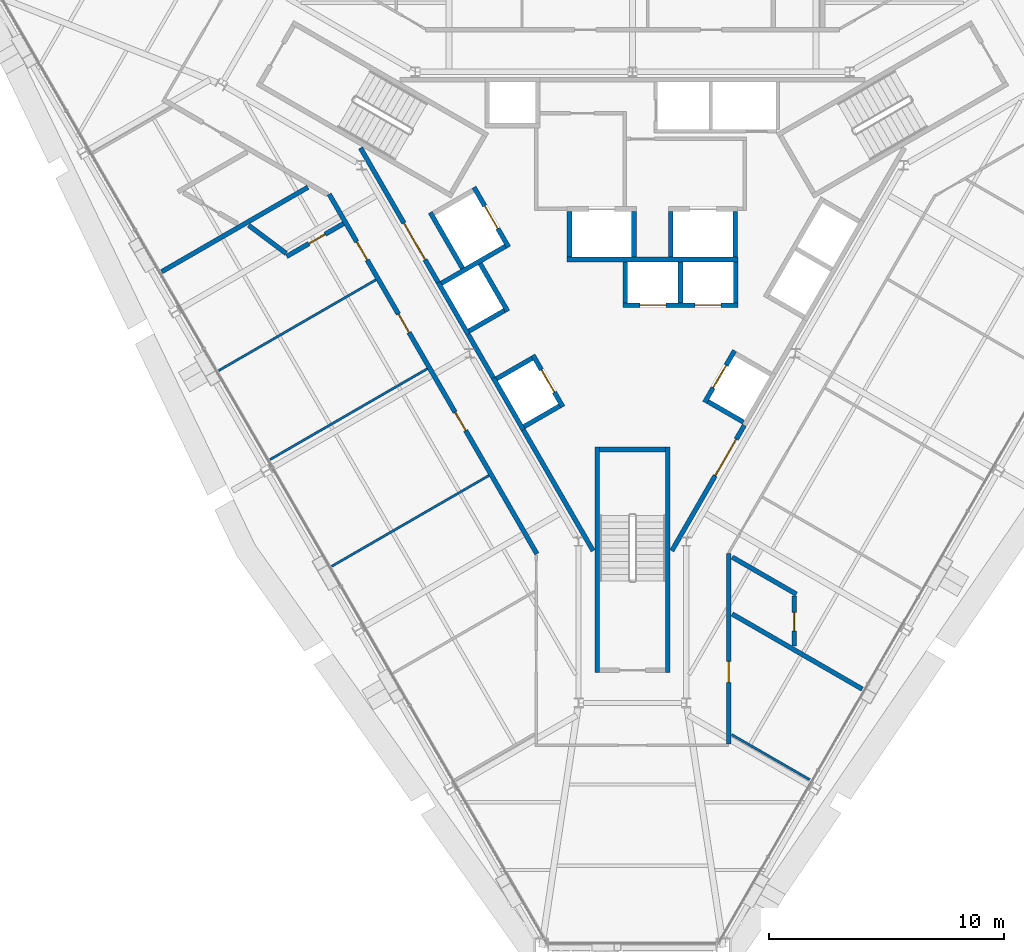
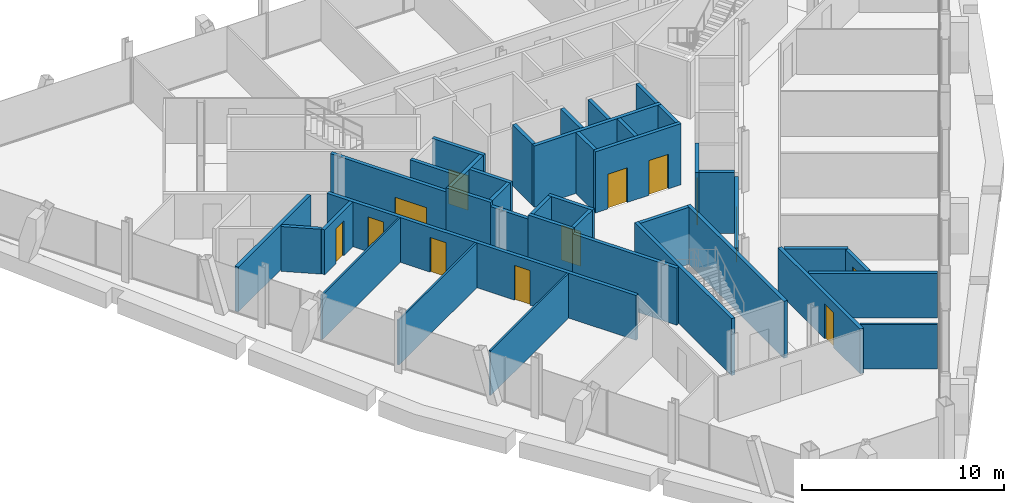
# One storey, part 12 of 17: 40 walls, 13 doors, 13 openings.
"""IFC4 building model written with IfcOpenShell, lengths in metres."""

from ifc_helpers import new_model, si_unit, direction, frame, frame_2d, origin, place, context, subcontext, project, spatial, rectangle, extrude, material, layer, layer_set, type_object, element, fill, save


model = new_model("IFC4")

# Units and contexts
model_context = context("Model", 3, precision=1e-05, world=origin(), true_north=direction((0.0, 1.0)))
body_context = subcontext(model_context, "Body", "Model", "MODEL_VIEW")
ifc_project = project(units=[si_unit("LENGTHUNIT", "METRE"), si_unit("AREAUNIT", "SQUARE_METRE"), si_unit("VOLUMEUNIT", "CUBIC_METRE"), si_unit("PLANEANGLEUNIT", "RADIAN"), si_unit("MASSUNIT", "GRAM", prefix="KILO")], contexts=[model_context])

# Site, building, storey
site_placement = place(None, origin())
site = spatial("IfcSite", under=ifc_project, at=site_placement, CompositionType="ELEMENT")
building_placement = place(site_placement, origin())
building = spatial("IfcBuilding", under=site, at=building_placement, Name="Verrane Prism Tower", CompositionType="ELEMENT")
storey_placement = place(building_placement, frame((0.0, 0.0, 182.10009765625)))
storey = spatial("IfcBuildingStorey", under=building, at=storey_placement, Name="L45", CompositionType="ELEMENT", Elevation=182.10009765625)

# Wall, opening, door
ifc_material_1 = material(Name="Gypsum board partition", Category="other")
ifc_layer_1 = layer(ifc_material_1, 0.199951171875)
ifc_layer_set_1 = layer_set([ifc_layer_1], Name="CW-200 core boundary wall 2 h")
wall_type_1 = type_object("IfcWallType", Name="CW-200 core boundary wall 2 h", PredefinedType="PARTITIONING", material=ifc_layer_set_1)
wall_1_placement = place(storey_placement, frame((-11.590576171875, 4.7548828125, 0.0), z_axis=(0.0, 0.0, 1.0), x_axis=(0.500043977787, -0.866000011708, 0.0)))
wall_1 = element("IfcWall", 1, at=wall_1_placement, inside=storey, type_object=wall_type_1, Name="Core boundary wall CW3-001", PredefinedType="PARTITIONING", context=body_context, shape_type="SweptSolid", body=[
    extrude(rectangle(XDim=6.61669921875, YDim=0.199951171875, at=frame_2d((3.308349609375, 0.0))), origin(), (0.0, 0.0, 1.0), 3.449951171875),
])
opening_1_placement = place(wall_1_placement, frame((3.695068359375, 0.0, 0.0)))
opening_1 = element("IfcOpeningElement", 2, at=opening_1_placement, cuts=wall_1, Name="Opening D44510", PredefinedType="OPENING", context=body_context, shape_type="SweptSolid", body=[
    extrude(rectangle(XDim=1.800048828125, YDim=2.10009765625, at=frame_2d((0.89990234375, 1.050048828125))), frame((0.0, 0.10986328125, 0.0), z_axis=(0.0, -1.0, 0.0), x_axis=(1.0, 0.0, 0.0)), (0.0, 0.0, 1.0), 0.219970703125),
])
ifc_material_2 = material(Name="Timber veneered door leaf", Category="wood")
door_type_1 = type_object("IfcDoorType", Name="DR-1800x2100 FD60 double leaf lift lobby", OperationType="NOTDEFINED", PredefinedType="DOOR", material=ifc_material_2)
door_1_placement = place(opening_1_placement, origin())
door_1 = element("IfcDoor", 3, at=door_1_placement, inside=storey, type_object=door_type_1, Name="Lift lobby door D44510", OperationType="DOUBLE_DOOR_SINGLE_SWING", OverallHeight=2.10009765625, OverallWidth=1.800048828125, PredefinedType="DOOR", context=body_context, shape_type="SweptSolid", body=[
    extrude(rectangle(XDim=1.800048828125, YDim=2.10009765625, at=frame_2d((0.89990234375, 1.050048828125))), frame((0.0, 0.02490234375, 0.0), z_axis=(0.0, -1.0, 0.0), x_axis=(1.0, 0.0, 0.0)), (0.0, 0.0, 1.0), 0.050048828125),
])
fill(opening_1, door_1)

# Walls
wall_2_placement = place(storey_placement, frame((-7.0048828125, -3.18701171875, 0.0), z_axis=(0.0, 0.0, 1.0), x_axis=(0.499689606989, -0.866204535123, 0.0)))
element("IfcWall", 4, at=wall_2_placement, inside=storey, type_object=wall_type_1, Name="Core boundary wall CW3-003", PredefinedType="PARTITIONING", context=body_context, shape_type="SweptSolid", body=[
    extrude(rectangle(XDim=2.144775390625, YDim=0.199951171875, at=frame_2d((1.072265625, 0.0))), origin(), (0.0, 0.0, 1.0), 3.449951171875),
])
wall_3_placement = place(storey_placement, frame((-4.655029296875, -7.257080078125, 0.0), z_axis=(0.0, 0.0, 1.0), x_axis=(0.499966124405, -0.866044960985, 0.0)))
element("IfcWall", 5, at=wall_3_placement, inside=storey, type_object=wall_type_1, Name="Core boundary wall CW3-004", PredefinedType="PARTITIONING", context=body_context, shape_type="SweptSolid", body=[
    extrude(rectangle(XDim=5.95556640625, YDim=0.199951171875, at=frame_2d((2.977783203125, 0.0))), origin(), (0.0, 0.0, 1.0), 3.449951171875),
])

# Wall, opening, door
wall_4_placement = place(storey_placement, frame((1.677490234375, -12.414794921875, 0.0), z_axis=(0.0, 0.0, 1.0), x_axis=(0.500054337157, 0.865994029939, 0.0)))
wall_4 = element("IfcWall", 6, at=wall_4_placement, inside=storey, type_object=wall_type_1, Name="Core boundary wall CW3-006", PredefinedType="PARTITIONING", context=body_context, shape_type="SweptSolid", body=[
    extrude(rectangle(XDim=6.176513671875, YDim=0.199951171875, at=frame_2d((3.08837890625, 0.0))), origin(), (0.0, 0.0, 1.0), 3.449951171875),
])
opening_2_placement = place(wall_4_placement, frame((3.695068359375, 0.0, 0.0)))
opening_2 = element("IfcOpeningElement", 7, at=opening_2_placement, cuts=wall_4, Name="Opening D44515", PredefinedType="OPENING", context=body_context, shape_type="SweptSolid", body=[
    extrude(rectangle(XDim=1.800048828125, YDim=2.10009765625, at=frame_2d((0.89990234375, 1.050048828125))), frame((0.0, 0.10986328125, 0.0), z_axis=(0.0, -1.0, 0.0), x_axis=(1.0, 0.0, 0.0)), (0.0, 0.0, 1.0), 0.219970703125),
])
door_2_placement = place(opening_2_placement, origin())
door_2 = element("IfcDoor", 8, at=door_2_placement, inside=storey, type_object=door_type_1, Name="Lift lobby door D44515", OperationType="DOUBLE_DOOR_SINGLE_SWING", OverallHeight=2.10009765625, OverallWidth=1.800048828125, PredefinedType="DOOR", context=body_context, shape_type="SweptSolid", body=[
    extrude(rectangle(XDim=1.800048828125, YDim=2.10009765625, at=frame_2d((0.89990234375, 1.050048828125))), frame((0.0, 0.02490234375, 0.0), z_axis=(0.0, -1.0, 0.0), x_axis=(1.0, 0.0, 0.0)), (0.0, 0.0, 1.0), 0.050048828125),
])
fill(opening_2, door_2)

# Walls
ifc_material_3 = material(Name="Concrete C40/50", Category="concrete")
ifc_layer_2 = layer(ifc_material_3, 0.199951171875)
ifc_layer_set_2 = layer_set([ifc_layer_2], Name="CW-200 stair core wall concrete C40/50 3 h")
wall_type_2 = type_object("IfcWallType", Name="CW-200 stair core wall concrete C40/50 3 h", PredefinedType="PARTITIONING", material=ifc_layer_set_2)
for number, where, z_axis, x_axis, name in (
    (9, (1.5, -8.0, 0.0), (0.0, 0.0, 1.0), (0.0, -1.0, 0.0), "Stair 3 enclosure wall"),
    (10, (-1.5, -8.0, 0.0), (0.0, 0.0, 1.0), (0.0, -1.0, 0.0), "Stair 3 enclosure wall"),
):
    element("IfcWall", number, at=place(storey_placement, frame(where, z_axis=z_axis, x_axis=x_axis)), inside=storey, type_object=wall_type_2, Name=name, PredefinedType="PARTITIONING", context=body_context, shape_type="SweptSolid", body=[
        extrude(rectangle(XDim=9.60009765625, YDim=0.199951171875, at=frame_2d((4.800048828125, 0.0))), origin(), (0.0, 0.0, 1.0), 3.449951171875),
    ])
wall_5_placement = place(storey_placement, frame((-1.39990234375, -8.10009765625, 0.0), z_axis=(0.0, 0.0, 1.0), x_axis=(1.0, 0.0, 0.0)))
element("IfcWall", 11, at=wall_5_placement, inside=storey, type_object=wall_type_2, Name="Stair 3 enclosure wall", PredefinedType="PARTITIONING", context=body_context, shape_type="SweptSolid", body=[
    extrude(rectangle(XDim=2.7998046875, YDim=0.199951171875, at=frame_2d((1.39990234375, 0.0))), origin(), (0.0, 0.0, 1.0), 3.449951171875),
])

# Wall, openings, doors
ifc_material_4 = material(Name="Gypsum board shaft wall assembly", Category="other")
ifc_layer_3 = layer(ifc_material_4, 0.199951171875)
ifc_layer_set_3 = layer_set([ifc_layer_3], Name="HW-200 lift shaft wall 2 h")
wall_type_3 = type_object("IfcWallType", Name="HW-200 lift shaft wall 2 h", PredefinedType="PARTITIONING", material=ifc_layer_set_3)
wall_6_placement = place(storey_placement, frame((-0.405029296875, -1.949951171875, 0.0), z_axis=(0.0, 0.0, 1.0), x_axis=(1.0, 0.0, 0.0)))
wall_6 = element("IfcWall", 12, at=wall_6_placement, inside=storey, type_object=wall_type_3, Name="Lift shaft wall", PredefinedType="PARTITIONING", context=body_context, shape_type="SweptSolid", body=[
    extrude(rectangle(XDim=4.900146484375, YDim=0.199951171875, at=frame_2d((2.4501953125, 0.0))), origin(), (0.0, 0.0, 1.0), 3.699951171875),
])
opening_3_placement = place(wall_6_placement, frame((0.72509765625, 0.0, 0.0)))
opening_3 = element("IfcOpeningElement", 13, at=opening_3_placement, cuts=wall_6, Name="Opening D44503", PredefinedType="OPENING", context=body_context, shape_type="SweptSolid", body=[
    extrude(rectangle(XDim=1.10009765625, YDim=2.10009765625, at=frame_2d((0.550048828125, 1.050048828125))), frame((0.0, 0.10986328125, 0.0), z_axis=(0.0, -1.0, 0.0), x_axis=(1.0, 0.0, 0.0)), (0.0, 0.0, 1.0), 0.219970703125),
])
opening_4_placement = place(wall_6_placement, frame((3.074951171875, 0.0, 0.0)))
opening_4 = element("IfcOpeningElement", 14, at=opening_4_placement, cuts=wall_6, Name="Opening D44504", PredefinedType="OPENING", context=body_context, shape_type="SweptSolid", body=[
    extrude(rectangle(XDim=1.10009765625, YDim=2.10009765625, at=frame_2d((0.550048828125, 1.050048828125))), frame((0.0, 0.10986328125, 0.0), z_axis=(0.0, -1.0, 0.0), x_axis=(1.0, 0.0, 0.0)), (0.0, 0.0, 1.0), 0.219970703125),
])
ifc_material_5 = material(Name="Stainless steel sliding landing door", Category="steel")
door_type_2 = type_object("IfcDoorType", Name="LD-1100x2100 lift landing door FD90 sliding", OperationType="NOTDEFINED", PredefinedType="DOOR", material=ifc_material_5)
door_3_placement = place(opening_3_placement, origin())
door_3 = element("IfcDoor", 15, at=door_3_placement, inside=storey, type_object=door_type_2, Name="Bank B lift 1 landing door", OperationType="SLIDING_TO_LEFT", OverallHeight=2.10009765625, OverallWidth=1.10009765625, PredefinedType="DOOR", context=body_context, shape_type="SweptSolid", body=[
    extrude(rectangle(XDim=1.10009765625, YDim=2.10009765625, at=frame_2d((0.550048828125, 1.050048828125))), frame((0.0, 0.02490234375, 0.0), z_axis=(0.0, -1.0, 0.0), x_axis=(1.0, 0.0, 0.0)), (0.0, 0.0, 1.0), 0.050048828125),
])
fill(opening_3, door_3)
door_4_placement = place(opening_4_placement, origin())
door_4 = element("IfcDoor", 16, at=door_4_placement, inside=storey, type_object=door_type_2, Name="Bank B lift 2 landing door", OperationType="SLIDING_TO_RIGHT", OverallHeight=2.10009765625, OverallWidth=1.10009765625, PredefinedType="DOOR", context=body_context, shape_type="SweptSolid", body=[
    extrude(rectangle(XDim=1.10009765625, YDim=2.10009765625, at=frame_2d((0.550048828125, 1.050048828125))), frame((0.0, 0.02490234375, 0.0), z_axis=(0.0, -1.0, 0.0), x_axis=(1.0, 0.0, 0.0)), (0.0, 0.0, 1.0), 0.050048828125),
])
fill(opening_4, door_4)

# Walls
wall_7_placement = place(storey_placement, frame((-2.784912109375, 0.0, 0.0), z_axis=(0.0, 0.0, 1.0), x_axis=(1.0, 0.0, 0.0)))
element("IfcWall", 17, at=wall_7_placement, inside=storey, type_object=wall_type_3, Name="Lift shaft wall", PredefinedType="PARTITIONING", context=body_context, shape_type="SweptSolid", body=[
    extrude(rectangle(XDim=7.280029296875, YDim=0.199951171875, at=frame_2d((3.64013671875, 0.0))), origin(), (0.0, 0.0, 1.0), 3.699951171875),
])
for number, where, z_axis, x_axis, name in (
    (18, (-4.61962890625, -7.118408203125, 0.0), (0.0, 0.0, 1.0), (0.866036909293, 0.499980071345, 0.0), "Lift shaft wall"),
    (19, (-5.794677734375, -5.083251953125, 0.0), (0.0, 0.0, 1.0), (0.866036909293, 0.499980071345, 0.0), "Lift shaft wall"),
    (20, (-6.9697265625, -3.048095703125, 0.0), (0.0, 0.0, 1.0), (0.866036909293, 0.499980071345, 0.0), "Lift shaft wall"),
):
    element("IfcWall", number, at=place(storey_placement, frame(where, z_axis=z_axis, x_axis=x_axis)), inside=storey, type_object=wall_type_3, Name=name, PredefinedType="PARTITIONING", context=body_context, shape_type="SweptSolid", body=[
        extrude(rectangle(XDim=1.75, YDim=0.199951171875, at=frame_2d((0.875, 0.0))), origin(), (0.0, 0.0, 1.0), 3.699951171875),
    ])
wall_8_placement = place(storey_placement, frame((-8.14453125, -1.012939453125, 0.0), z_axis=(0.0, 0.0, 1.0), x_axis=(0.866016494683, 0.500015430699, 0.0)))
element("IfcWall", 21, at=wall_8_placement, inside=storey, type_object=wall_type_3, Name="Lift shaft wall", PredefinedType="PARTITIONING", context=body_context, shape_type="SweptSolid", body=[
    extrude(rectangle(XDim=3.14990234375, YDim=0.199951171875, at=frame_2d((1.574951171875, 0.0))), origin(), (0.0, 0.0, 1.0), 3.699951171875),
])

# Wall, opening, door
wall_9_placement = place(storey_placement, frame((3.077392578125, -6.089599609375, 0.0), z_axis=(0.0, 0.0, 1.0), x_axis=(0.500062241894, 0.865989465428, 0.0)))
wall_9 = element("IfcWall", 22, at=wall_9_placement, inside=storey, type_object=wall_type_3, Name="Lift shaft wall", PredefinedType="PARTITIONING", context=body_context, shape_type="SweptSolid", body=[
    extrude(rectangle(XDim=2.550048828125, YDim=0.199951171875, at=frame_2d((1.27490234375, 0.0))), origin(), (0.0, 0.0, 1.0), 3.699951171875),
])
opening_5_placement = place(wall_9_placement, frame((0.72509765625, 0.0, 0.0)))
opening_5 = element("IfcOpeningElement", 23, at=opening_5_placement, cuts=wall_9, Name="Opening D44505", PredefinedType="OPENING", context=body_context, shape_type="SweptSolid", body=[
    extrude(rectangle(XDim=1.10009765625, YDim=2.10009765625, at=frame_2d((0.550048828125, 1.050048828125))), frame((0.0, 0.10986328125, 0.0), z_axis=(0.0, -1.0, 0.0), x_axis=(1.0, 0.0, 0.0)), (0.0, 0.0, 1.0), 0.219970703125),
])
door_5_placement = place(opening_5_placement, origin())
door_5 = element("IfcDoor", 24, at=door_5_placement, inside=storey, type_object=door_type_2, Name="Bank B lift 3 landing door", OperationType="SLIDING_TO_LEFT", OverallHeight=2.10009765625, OverallWidth=1.10009765625, PredefinedType="DOOR", context=body_context, shape_type="SweptSolid", body=[
    extrude(rectangle(XDim=1.10009765625, YDim=2.10009765625, at=frame_2d((0.550048828125, 1.050048828125))), frame((0.0, 0.02490234375, 0.0), z_axis=(0.0, -1.0, 0.0), x_axis=(1.0, 0.0, 0.0)), (0.0, 0.0, 1.0), 0.050048828125),
])
fill(opening_5, door_5)

# Walls
wall_10_placement = place(storey_placement, frame((4.39501953125, -1.85009765625, 0.0), z_axis=(0.0, 0.0, 1.0), x_axis=(0.0, 1.0, 0.0)))
element("IfcWall", 25, at=wall_10_placement, inside=storey, type_object=wall_type_3, Name="Lift shaft wall", PredefinedType="PARTITIONING", context=body_context, shape_type="SweptSolid", body=[
    extrude(rectangle(XDim=1.75, YDim=0.199951171875, at=frame_2d((0.875, 0.0))), origin(), (0.0, 0.0, 1.0), 3.699951171875),
])
wall_11_placement = place(storey_placement, frame((4.375, 0.10009765625, 0.0), z_axis=(0.0, 0.0, 1.0), x_axis=(0.0, 1.0, 0.0)))
element("IfcWall", 26, at=wall_11_placement, inside=storey, type_object=wall_type_3, Name="Lift shaft wall", PredefinedType="PARTITIONING", context=body_context, shape_type="SweptSolid", body=[
    extrude(rectangle(XDim=1.949951171875, YDim=0.199951171875, at=frame_2d((0.97509765625, 0.0))), origin(), (0.0, 0.0, 1.0), 3.699951171875),
])
wall_12_placement = place(storey_placement, frame((2.044921875, -1.85009765625, 0.0), z_axis=(0.0, 0.0, 1.0), x_axis=(0.0, 1.0, 0.0)))
element("IfcWall", 27, at=wall_12_placement, inside=storey, type_object=wall_type_3, Name="Lift shaft wall", PredefinedType="PARTITIONING", context=body_context, shape_type="SweptSolid", body=[
    extrude(rectangle(XDim=1.75, YDim=0.199951171875, at=frame_2d((0.875, 0.0))), origin(), (0.0, 0.0, 1.0), 3.699951171875),
])
for number, where, z_axis, x_axis, name in (
    (28, (1.625, 0.10009765625, 0.0), (0.0, 0.0, 1.0), (0.0, 1.0, 0.0), "Lift shaft wall"),
    (29, (0.06494140625, 0.10009765625, 0.0), (0.0, 0.0, 1.0), (0.0, 1.0, 0.0), "Lift shaft wall"),
):
    element("IfcWall", number, at=place(storey_placement, frame(where, z_axis=z_axis, x_axis=x_axis)), inside=storey, type_object=wall_type_3, Name=name, PredefinedType="PARTITIONING", context=body_context, shape_type="SweptSolid", body=[
        extrude(rectangle(XDim=1.949951171875, YDim=0.199951171875, at=frame_2d((0.97509765625, 0.0))), origin(), (0.0, 0.0, 1.0), 3.699951171875),
    ])
wall_13_placement = place(storey_placement, frame((-0.304931640625, -1.85009765625, 0.0), z_axis=(0.0, 0.0, 1.0), x_axis=(0.0, 1.0, 0.0)))
element("IfcWall", 30, at=wall_13_placement, inside=storey, type_object=wall_type_3, Name="Lift shaft wall", PredefinedType="PARTITIONING", context=body_context, shape_type="SweptSolid", body=[
    extrude(rectangle(XDim=1.75, YDim=0.199951171875, at=frame_2d((0.875, 0.0))), origin(), (0.0, 0.0, 1.0), 3.699951171875),
])
wall_14_placement = place(storey_placement, frame((-2.68505859375, 0.10009765625, 0.0), z_axis=(0.0, 0.0, 1.0), x_axis=(0.0, 1.0, 0.0)))
element("IfcWall", 31, at=wall_14_placement, inside=storey, type_object=wall_type_3, Name="Lift shaft wall", PredefinedType="PARTITIONING", context=body_context, shape_type="SweptSolid", body=[
    extrude(rectangle(XDim=1.949951171875, YDim=0.199951171875, at=frame_2d((0.97509765625, 0.0))), origin(), (0.0, 0.0, 1.0), 3.699951171875),
])

# Wall, opening, door
wall_15_placement = place(storey_placement, frame((-5.280029296875, 0.525390625, 0.0), z_axis=(0.0, 0.0, 1.0), x_axis=(-0.500037662692, 0.866003658127, 0.0)))
wall_15 = element("IfcWall", 32, at=wall_15_placement, inside=storey, type_object=wall_type_3, Name="Lift shaft wall", PredefinedType="PARTITIONING", context=body_context, shape_type="SweptSolid", body=[
    extrude(rectangle(XDim=2.949951171875, YDim=0.199951171875, at=frame_2d((1.47509765625, 0.0))), origin(), (0.0, 0.0, 1.0), 3.699951171875),
])
opening_6_placement = place(wall_15_placement, frame((0.925048828125, 0.0, 0.0)))
opening_6 = element("IfcOpeningElement", 33, at=opening_6_placement, cuts=wall_15, Name="Opening D44509", PredefinedType="OPENING", context=body_context, shape_type="SweptSolid", body=[
    extrude(rectangle(XDim=1.10009765625, YDim=2.10009765625, at=frame_2d((0.550048828125, 1.050048828125))), frame((0.0, 0.10986328125, 0.0), z_axis=(0.0, -1.0, 0.0), x_axis=(1.0, 0.0, 0.0)), (0.0, 0.0, 1.0), 0.219970703125),
])
door_6_placement = place(opening_6_placement, origin())
door_6 = element("IfcDoor", 34, at=door_6_placement, inside=storey, type_object=door_type_2, Name="Service lift 1 landing door", OperationType="SLIDING_TO_LEFT", OverallHeight=2.10009765625, OverallWidth=1.10009765625, PredefinedType="DOOR", context=body_context, shape_type="SweptSolid", body=[
    extrude(rectangle(XDim=1.10009765625, YDim=2.10009765625, at=frame_2d((0.550048828125, 1.050048828125))), frame((0.0, 0.02490234375, 0.0), z_axis=(0.0, -1.0, 0.0), x_axis=(1.0, 0.0, 0.0)), (0.0, 0.0, 1.0), 0.050048828125),
])
fill(opening_6, door_6)

wall_16_placement = place(storey_placement, frame((-2.967529296875, -6.280029296875, 0.0), z_axis=(0.0, 0.0, 1.0), x_axis=(-0.499990435942, 0.866030925526, 0.0)))
wall_16 = element("IfcWall", 35, at=wall_16_placement, inside=storey, type_object=wall_type_3, Name="Lift shaft wall", PredefinedType="PARTITIONING", context=body_context, shape_type="SweptSolid", body=[
    extrude(rectangle(XDim=2.5498046875, YDim=0.199951171875, at=frame_2d((1.27490234375, 0.0))), origin(), (0.0, 0.0, 1.0), 3.699951171875),
])
opening_7_placement = place(wall_16_placement, frame((0.72509765625, 0.0, 0.0)))
opening_7 = element("IfcOpeningElement", 36, at=opening_7_placement, cuts=wall_16, Name="Opening D44506", PredefinedType="OPENING", context=body_context, shape_type="SweptSolid", body=[
    extrude(rectangle(XDim=1.10009765625, YDim=2.10009765625, at=frame_2d((0.550048828125, 1.050048828125))), frame((0.0, 0.10986328125, 0.0), z_axis=(0.0, -1.0, 0.0), x_axis=(1.0, 0.0, 0.0)), (0.0, 0.0, 1.0), 0.219970703125),
])
door_7_placement = place(opening_7_placement, origin())
door_7 = element("IfcDoor", 37, at=door_7_placement, inside=storey, type_object=door_type_2, Name="Bank B lift 4 landing door", OperationType="SLIDING_TO_RIGHT", OverallHeight=2.10009765625, OverallWidth=1.10009765625, PredefinedType="DOOR", context=body_context, shape_type="SweptSolid", body=[
    extrude(rectangle(XDim=1.10009765625, YDim=2.10009765625, at=frame_2d((0.550048828125, 1.050048828125))), frame((0.0, 0.02490234375, 0.0), z_axis=(0.0, -1.0, 0.0), x_axis=(1.0, 0.0, 0.0)), (0.0, 0.0, 1.0), 0.050048828125),
])
fill(opening_7, door_7)

# Walls
wall_17_placement = place(storey_placement, frame((-5.317626953125, -2.209716796875, 0.0), z_axis=(0.0, 0.0, 1.0), x_axis=(-0.499938297808, 0.866061024631, 0.0)))
element("IfcWall", 38, at=wall_17_placement, inside=storey, type_object=wall_type_3, Name="Lift shaft wall", PredefinedType="PARTITIONING", context=body_context, shape_type="SweptSolid", body=[
    extrude(rectangle(XDim=2.349853515625, YDim=0.199951171875, at=frame_2d((1.1748046875, 0.0))), origin(), (0.0, 0.0, 1.0), 3.699951171875),
])
wall_18_placement = place(storey_placement, frame((-7.241943359375, -0.37646484375, 0.0), z_axis=(0.0, 0.0, 1.0), x_axis=(-0.499996545922, 0.866027397988, 0.0)))
element("IfcWall", 39, at=wall_18_placement, inside=storey, type_object=wall_type_3, Name="Lift shaft wall", PredefinedType="PARTITIONING", context=body_context, shape_type="SweptSolid", body=[
    extrude(rectangle(XDim=2.75, YDim=0.199951171875, at=frame_2d((1.375, 0.0))), origin(), (0.0, 0.0, 1.0), 3.699951171875),
])
for number, where, z_axis, x_axis, name in (
    (40, (-4.65625, -7.255126953125, 0.0), (0.0, 0.0, 1.0), (-0.499990435942, 0.866030925526, 0.0), "Lift shaft wall"),
    (41, (-7.00634765625, -3.184814453125, 0.0), (0.0, 0.0, 1.0), (-0.499990435942, 0.866030925526, 0.0), "Lift shaft wall"),
):
    element("IfcWall", number, at=place(storey_placement, frame(where, z_axis=z_axis, x_axis=x_axis)), inside=storey, type_object=wall_type_3, Name=name, PredefinedType="PARTITIONING", context=body_context, shape_type="SweptSolid", body=[
        extrude(rectangle(XDim=2.5498046875, YDim=0.199951171875, at=frame_2d((1.27490234375, 0.0))), origin(), (0.0, 0.0, 1.0), 3.699951171875),
    ])
wall_19_placement = place(storey_placement, frame((4.729736328125, -6.927978515625, 0.0), z_axis=(0.0, 0.0, 1.0), x_axis=(-0.866036909293, 0.499980071345, 0.0)))
element("IfcWall", 42, at=wall_19_placement, inside=storey, type_object=wall_type_3, Name="Lift shaft wall", PredefinedType="PARTITIONING", context=body_context, shape_type="SweptSolid", body=[
    extrude(rectangle(XDim=1.75, YDim=0.199951171875, at=frame_2d((0.875, 0.0))), origin(), (0.0, 0.0, 1.0), 3.699951171875),
])
ifc_material_6 = material(Name="Gypsum board partition", Category="other")
ifc_layer_4 = layer(ifc_material_6, 0.10009765625)
ifc_layer_set_4 = layer_set([ifc_layer_4], Name="PW-100 room partition")
wall_type_4 = type_object("IfcWallType", Name="PW-100 room partition", PredefinedType="PARTITIONING", material=ifc_layer_set_4)
wall_20_placement = place(storey_placement, frame((-17.631591796875, -4.73095703125, 0.0), z_axis=(0.0, 0.0, 1.0), x_axis=(0.866002098189, 0.500040364304, 0.0)))
element("IfcWall", 43, at=wall_20_placement, inside=storey, type_object=wall_type_4, Name="Room partition 007", PredefinedType="PARTITIONING", context=body_context, shape_type="SweptSolid", body=[
    extrude(rectangle(XDim=7.733154296875, YDim=0.10009765625, at=frame_2d((3.86669921875, 0.0))), origin(), (0.0, 0.0, 1.0), 2.712890625),
])
for number, where, z_axis, x_axis, name in (
    (44, (-15.4423828125, -8.522705078125, 0.0), (0.0, 0.0, 1.0), (0.866007875589, 0.500030358497, 0.0), "Room partition 011"),
    (45, (-12.8154296875, -13.07275390625, 0.0), (0.0, 0.0, 1.0), (0.866007875589, 0.500030358497, 0.0), "Room partition 014"),
):
    element("IfcWall", number, at=place(storey_placement, frame(where, z_axis=z_axis, x_axis=x_axis)), inside=storey, type_object=wall_type_4, Name=name, PredefinedType="PARTITIONING", context=body_context, shape_type="SweptSolid", body=[
        extrude(rectangle(XDim=7.73291015625, YDim=0.10009765625, at=frame_2d((3.866455078125, 0.0))), origin(), (0.0, 0.0, 1.0), 2.712890625),
    ])
wall_21_placement = place(storey_placement, frame((4.22509765625, -20.2470703125, 0.0), z_axis=(0.0, 0.0, 1.0), x_axis=(0.866070569679, -0.499921762215, 0.0)))
element("IfcWall", 46, at=wall_21_placement, inside=storey, type_object=wall_type_4, Name="Room partition 024", PredefinedType="PARTITIONING", context=body_context, shape_type="SweptSolid", body=[
    extrude(rectangle(XDim=3.8525390625, YDim=0.10009765625, at=frame_2d((1.92626953125, 0.0))), origin(), (0.0, 0.0, 1.0), 2.712890625),
])
ifc_material_7 = material(Name="Gypsum board partition", Category="other")
ifc_layer_5 = layer(ifc_material_7, 0.199951171875)
ifc_layer_set_5 = layer_set([ifc_layer_5], Name="PW-200 plumbing wall")
wall_type_5 = type_object("IfcWallType", Name="PW-200 plumbing wall", PredefinedType="PARTITIONING", material=ifc_layer_set_5)
wall_22_placement = place(storey_placement, frame((-20.063720703125, -0.51806640625, 0.0), z_axis=(0.0, 0.0, 1.0), x_axis=(0.865994046034, 0.500054309285, 0.0)))
element("IfcWall", 47, at=wall_22_placement, inside=storey, type_object=wall_type_5, Name="Plumbing wall 002", PredefinedType="PARTITIONING", context=body_context, shape_type="SweptSolid", body=[
    extrude(rectangle(XDim=7.196044921875, YDim=0.199951171875, at=frame_2d((3.59814453125, 0.0))), origin(), (0.0, 0.0, 1.0), 2.712890625),
])
wall_23_placement = place(storey_placement, frame((-16.36181640625, 1.459228515625, 0.0), z_axis=(0.0, 0.0, 1.0), x_axis=(0.800219351666, -0.59970741968, 0.0)))
element("IfcWall", 48, at=wall_23_placement, inside=storey, type_object=wall_type_5, Name="Plumbing wall 008", PredefinedType="PARTITIONING", context=body_context, shape_type="SweptSolid", body=[
    extrude(rectangle(XDim=2.0029296875, YDim=0.199951171875, at=frame_2d((1.00146484375, 0.0))), origin(), (0.0, 0.0, 1.0), 2.712890625),
])

# Wall, opening, door
wall_24_placement = place(storey_placement, frame((-14.74169921875, 0.1298828125, 0.0), z_axis=(0.0, 0.0, 1.0), x_axis=(0.866003766563, 0.500037474894, 0.0)))
wall_24 = element("IfcWall", 49, at=wall_24_placement, inside=storey, type_object=wall_type_5, Name="Plumbing wall 012", PredefinedType="PARTITIONING", context=body_context, shape_type="SweptSolid", body=[
    extrude(rectangle(XDim=2.795166015625, YDim=0.199951171875, at=frame_2d((1.3974609375, 0.0))), origin(), (0.0, 0.0, 1.0), 2.712890625),
])
opening_8_placement = place(wall_24_placement, frame((1.10009765625, 0.0, 0.0)))
opening_8 = element("IfcOpeningElement", 50, at=opening_8_placement, cuts=wall_24, Name="Opening D44020", PredefinedType="OPENING", context=body_context, shape_type="SweptSolid", body=[
    extrude(rectangle(XDim=0.800048828125, YDim=2.10009765625, at=frame_2d((0.39990234375, 1.050048828125))), frame((0.0, 0.10986328125, 0.0), z_axis=(0.0, -1.0, 0.0), x_axis=(1.0, 0.0, 0.0)), (0.0, 0.0, 1.0), 0.219970703125),
])
ifc_material_8 = material(Name="Timber veneered door leaf", Category="wood")
door_type_3 = type_object("IfcDoorType", Name="DR-800x2100 single leaf bath", OperationType="NOTDEFINED", PredefinedType="DOOR", material=ifc_material_8)
door_8_placement = place(opening_8_placement, origin())
door_8 = element("IfcDoor", 51, at=door_8_placement, inside=storey, type_object=door_type_3, Name="Bathroom door", OperationType="SINGLE_SWING_RIGHT", OverallHeight=2.10009765625, OverallWidth=0.800048828125, PredefinedType="DOOR", context=body_context, shape_type="SweptSolid", body=[
    extrude(rectangle(XDim=0.800048828125, YDim=2.10009765625, at=frame_2d((0.39990234375, 1.050048828125))), frame((0.0, 0.02490234375, 0.0), z_axis=(0.0, -1.0, 0.0), x_axis=(1.0, 0.0, 0.0)), (0.0, 0.0, 1.0), 0.050048828125),
])
fill(opening_8, door_8)

# Wall, openings, doors
wall_25_placement = place(storey_placement, frame((-4.074951171875, -12.54541015625, 0.0), z_axis=(0.0, 0.0, 1.0), x_axis=(-0.499997769292, 0.86602669168, 0.0)))
wall_25 = element("IfcWall", 52, at=wall_25_placement, inside=storey, type_object=wall_type_5, Name="Plumbing wall 013", PredefinedType="PARTITIONING", context=body_context, shape_type="SweptSolid", body=[
    extrude(rectangle(XDim=17.7060546875, YDim=0.199951171875, at=frame_2d((8.85302734375, 0.0))), origin(), (0.0, 0.0, 1.0), 2.712890625),
])
opening_9_placement = place(wall_25_placement, frame((14.4599609375, 0.0, 0.0)))
opening_9 = element("IfcOpeningElement", 53, at=opening_9_placement, cuts=wall_25, Name="Opening D44019", PredefinedType="OPENING", context=body_context, shape_type="SweptSolid", body=[
    extrude(rectangle(XDim=0.89990234375, YDim=2.10009765625, at=frame_2d((0.449951171875, 1.050048828125))), frame((0.0, 0.10986328125, 0.0), z_axis=(0.0, -1.0, 0.0), x_axis=(1.0, 0.0, 0.0)), (0.0, 0.0, 1.0), 0.219970703125),
])
opening_10_placement = place(wall_25_placement, frame((10.89599609375, 0.0, 0.0)))
opening_10 = element("IfcOpeningElement", 54, at=opening_10_placement, cuts=wall_25, Name="Opening D44021", PredefinedType="OPENING", context=body_context, shape_type="SweptSolid", body=[
    extrude(rectangle(XDim=0.89990234375, YDim=2.10009765625, at=frame_2d((0.449951171875, 1.050048828125))), frame((0.0, 0.10986328125, 0.0), z_axis=(0.0, -1.0, 0.0), x_axis=(1.0, 0.0, 0.0)), (0.0, 0.0, 1.0), 0.219970703125),
])
opening_11_placement = place(wall_25_placement, frame((6.068115234375, 0.0, 0.0)))
opening_11 = element("IfcOpeningElement", 55, at=opening_11_placement, cuts=wall_25, Name="Opening D44022", PredefinedType="OPENING", context=body_context, shape_type="SweptSolid", body=[
    extrude(rectangle(XDim=0.89990234375, YDim=2.10009765625, at=frame_2d((0.449951171875, 1.050048828125))), frame((0.0, 0.10986328125, 0.0), z_axis=(0.0, -1.0, 0.0), x_axis=(1.0, 0.0, 0.0)), (0.0, 0.0, 1.0), 0.219970703125),
])
ifc_material_9 = material(Name="Timber veneered door leaf", Category="wood")
door_type_4 = type_object("IfcDoorType", Name="DR-900x2100 single leaf inner", OperationType="NOTDEFINED", PredefinedType="DOOR", material=ifc_material_9)
door_9_placement = place(opening_9_placement, origin())
door_9 = element("IfcDoor", 56, at=door_9_placement, inside=storey, type_object=door_type_4, Name="Bedroom door", OperationType="SINGLE_SWING_RIGHT", OverallHeight=2.10009765625, OverallWidth=0.89990234375, PredefinedType="DOOR", context=body_context, shape_type="SweptSolid", body=[
    extrude(rectangle(XDim=0.89990234375, YDim=2.10009765625, at=frame_2d((0.449951171875, 1.050048828125))), frame((0.0, 0.02490234375, 0.0), z_axis=(0.0, -1.0, 0.0), x_axis=(1.0, 0.0, 0.0)), (0.0, 0.0, 1.0), 0.050048828125),
])
fill(opening_9, door_9)
ifc_material_10 = material(Name="Timber veneered door leaf", Category="wood")
door_type_5 = type_object("IfcDoorType", Name="DR-900x2100 single leaf unit", OperationType="NOTDEFINED", PredefinedType="DOOR", material=ifc_material_10)
door_10_placement = place(opening_10_placement, origin())
door_10 = element("IfcDoor", 57, at=door_10_placement, inside=storey, type_object=door_type_5, Name="Kitchen door", OperationType="SINGLE_SWING_RIGHT", OverallHeight=2.10009765625, OverallWidth=0.89990234375, PredefinedType="DOOR", context=body_context, shape_type="SweptSolid", body=[
    extrude(rectangle(XDim=0.89990234375, YDim=2.10009765625, at=frame_2d((0.449951171875, 1.050048828125))), frame((0.0, 0.02490234375, 0.0), z_axis=(0.0, -1.0, 0.0), x_axis=(1.0, 0.0, 0.0)), (0.0, 0.0, 1.0), 0.050048828125),
])
fill(opening_10, door_10)
door_11_placement = place(opening_11_placement, origin())
door_11 = element("IfcDoor", 58, at=door_11_placement, inside=storey, type_object=door_type_5, Name="Study door", OperationType="SINGLE_SWING_LEFT", OverallHeight=2.10009765625, OverallWidth=0.89990234375, PredefinedType="DOOR", context=body_context, shape_type="SweptSolid", body=[
    extrude(rectangle(XDim=0.89990234375, YDim=2.10009765625, at=frame_2d((0.449951171875, 1.050048828125))), frame((0.0, 0.02490234375, 0.0), z_axis=(0.0, -1.0, 0.0), x_axis=(1.0, 0.0, 0.0)), (0.0, 0.0, 1.0), 0.050048828125),
])
fill(opening_11, door_11)

# Wall, opening, door
wall_26_placement = place(storey_placement, frame((4.10009765625, -12.527099609375, 0.0), z_axis=(0.0, 0.0, 1.0), x_axis=(0.0, -1.0, 0.0)))
wall_26 = element("IfcWall", 59, at=wall_26_placement, inside=storey, type_object=wall_type_5, Name="Plumbing wall 023", PredefinedType="PARTITIONING", context=body_context, shape_type="SweptSolid", body=[
    extrude(rectangle(XDim=8.122802734375, YDim=0.199951171875, at=frame_2d((4.0615234375, 0.0))), origin(), (0.0, 0.0, 1.0), 2.712890625),
])
opening_12_placement = place(wall_26_placement, frame((4.597900390625, 0.0, 0.0)))
opening_12 = element("IfcOpeningElement", 60, at=opening_12_placement, cuts=wall_26, Name="Opening D44001", PredefinedType="OPENING", context=body_context, shape_type="SweptSolid", body=[
    extrude(rectangle(XDim=0.89990234375, YDim=2.10009765625, at=frame_2d((0.449951171875, 1.050048828125))), frame((0.0, 0.10986328125, 0.0), z_axis=(0.0, -1.0, 0.0), x_axis=(1.0, 0.0, 0.0)), (0.0, 0.0, 1.0), 0.219970703125),
])
door_12_placement = place(opening_12_placement, origin())
door_12 = element("IfcDoor", 61, at=door_12_placement, inside=storey, type_object=door_type_5, Name="Kitchen door", OperationType="SINGLE_SWING_RIGHT", OverallHeight=2.10009765625, OverallWidth=0.89990234375, PredefinedType="DOOR", context=body_context, shape_type="SweptSolid", body=[
    extrude(rectangle(XDim=0.89990234375, YDim=2.10009765625, at=frame_2d((0.449951171875, 1.050048828125))), frame((0.0, 0.02490234375, 0.0), z_axis=(0.0, -1.0, 0.0), x_axis=(1.0, 0.0, 0.0)), (0.0, 0.0, 1.0), 0.050048828125),
])
fill(opening_12, door_12)

# Walls
wall_27_placement = place(storey_placement, frame((4.25, -15.108642578125, 0.0), z_axis=(0.0, 0.0, 1.0), x_axis=(0.866077604108, -0.499909575486, 0.0)))
element("IfcWall", 62, at=wall_27_placement, inside=storey, type_object=wall_type_5, Name="Plumbing wall 025", PredefinedType="PARTITIONING", context=body_context, shape_type="SweptSolid", body=[
    extrude(rectangle(XDim=6.400146484375, YDim=0.199951171875, at=frame_2d((3.2001953125, 0.0))), origin(), (0.0, 0.0, 1.0), 2.712890625),
])
wall_28_placement = place(storey_placement, frame((4.25, -12.68359375, 0.0), z_axis=(0.0, 0.0, 1.0), x_axis=(0.866109679077, -0.499854002494, 0.0)))
element("IfcWall", 63, at=wall_28_placement, inside=storey, type_object=wall_type_5, Name="Plumbing wall 026", PredefinedType="PARTITIONING", context=body_context, shape_type="SweptSolid", body=[
    extrude(rectangle(XDim=3.15966796875, YDim=0.199951171875, at=frame_2d((1.579833984375, 0.0))), origin(), (0.0, 0.0, 1.0), 2.712890625),
])

# Wall, opening, door
wall_29_placement = place(storey_placement, frame((6.89990234375, -16.46484375, 0.0), z_axis=(0.0, 0.0, 1.0), x_axis=(0.0, 1.0, 0.0)))
wall_29 = element("IfcWall", 64, at=wall_29_placement, inside=storey, type_object=wall_type_5, Name="Plumbing wall 031", PredefinedType="PARTITIONING", context=body_context, shape_type="SweptSolid", body=[
    extrude(rectangle(XDim=2.116943359375, YDim=0.199951171875, at=frame_2d((1.05859375, 0.0))), origin(), (0.0, 0.0, 1.0), 2.712890625),
])
opening_13_placement = place(wall_29_placement, frame((0.626708984375, 0.0, 0.0)))
opening_13 = element("IfcOpeningElement", 65, at=opening_13_placement, cuts=wall_29, Name="Opening D44003", PredefinedType="OPENING", context=body_context, shape_type="SweptSolid", body=[
    extrude(rectangle(XDim=0.800048828125, YDim=2.10009765625, at=frame_2d((0.39990234375, 1.050048828125))), frame((0.0, 0.10986328125, 0.0), z_axis=(0.0, -1.0, 0.0), x_axis=(1.0, 0.0, 0.0)), (0.0, 0.0, 1.0), 0.219970703125),
])
door_13_placement = place(opening_13_placement, origin())
door_13 = element("IfcDoor", 66, at=door_13_placement, inside=storey, type_object=door_type_3, Name="Bathroom door", OperationType="SINGLE_SWING_LEFT", OverallHeight=2.10009765625, OverallWidth=0.800048828125, PredefinedType="DOOR", context=body_context, shape_type="SweptSolid", body=[
    extrude(rectangle(XDim=0.800048828125, YDim=2.10009765625, at=frame_2d((0.39990234375, 1.050048828125))), frame((0.0, 0.02490234375, 0.0), z_axis=(0.0, -1.0, 0.0), x_axis=(1.0, 0.0, 0.0)), (0.0, 0.0, 1.0), 0.050048828125),
])
fill(opening_13, door_13)

save(model, "model.ifc")
